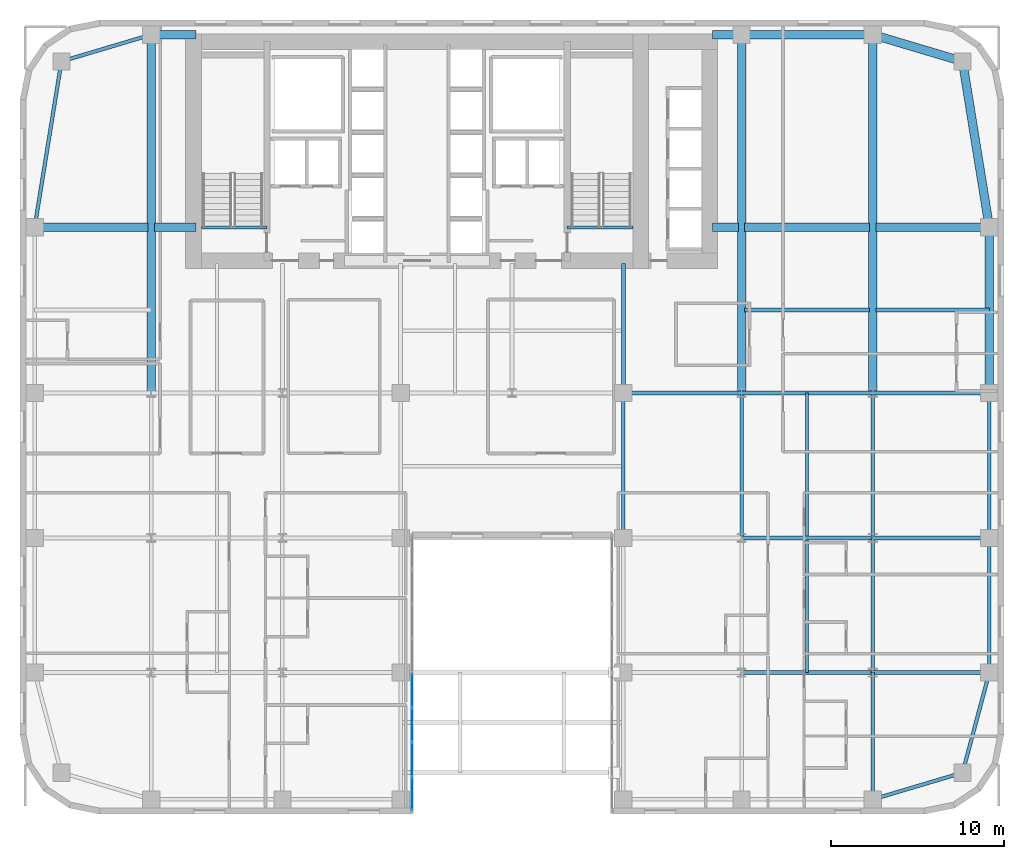
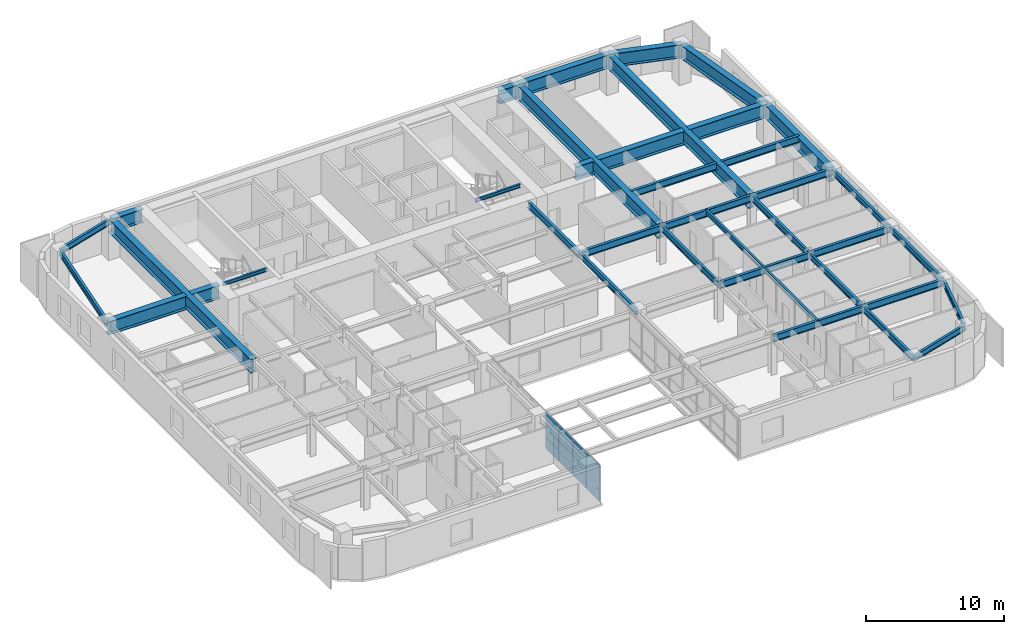
# One storey, part 8 of 16: 39 beams, 8 plates, 1 element without a shape of its own.
"""IFC4 building model written with IfcOpenShell, lengths in metres."""

from ifc_helpers import new_model, si_unit, direction, frame, origin, origin_2d, place, context, subcontext, project, spatial, rectangle, i_section, extrude, source, transform, mapped, material, layer, layer_set, material_profile, profile_set, type_object, type_shapes, element, aggregate, save


model = new_model("IFC4")

# Units and contexts
model_context = context("Model", 3, precision=1e-05, world=origin(), true_north=direction((0.0, 1.0)))
body_context = subcontext(model_context, "Body", "Model", "MODEL_VIEW")
ifc_project = project(units=[si_unit("LENGTHUNIT", "METRE"), si_unit("AREAUNIT", "SQUARE_METRE"), si_unit("VOLUMEUNIT", "CUBIC_METRE"), si_unit("PLANEANGLEUNIT", "RADIAN"), si_unit("MASSUNIT", "GRAM", prefix="KILO")], contexts=[model_context])

# Site, building, storey
site_placement = place(None, origin())
site = spatial("IfcSite", under=ifc_project, at=site_placement, CompositionType="ELEMENT")
building_placement = place(site_placement, origin())
building = spatial("IfcBuilding", under=site, at=building_placement, Name="Tolvann Quenvar Hotel", CompositionType="ELEMENT")
storey_placement = place(building_placement, frame((0.0, 0.0, 71.050048828125)))
storey = spatial("IfcBuildingStorey", under=building, at=storey_placement, Name="L17", CompositionType="ELEMENT", Elevation=71.050048828125)

# Beams
ifc_material_1 = material(Name="Steel Grade 350", Category="steel")
ifc_material_profile_1 = material_profile(ifc_material_1, i_section(OverallWidth=0.5, OverallDepth=1.199951171875, WebThickness=0.01611328125, FlangeThickness=0.0400390625, at=origin_2d()), Name="1200WB455")
ifc_profile_set_1 = profile_set([ifc_material_profile_1], Name="Steel Grade 350")
beam_type_1 = type_object("IfcBeamType", Name="BM_TG_1200WB455", PredefinedType="USERDEFINED", material=ifc_profile_set_1)
shared_shape_1 = source(origin(), body_context, "Body", "SweptSolid", [
    extrude(i_section(OverallWidth=0.5, OverallDepth=1.199951171875, WebThickness=0.01611328125, FlangeThickness=0.0400390625, at=origin_2d()), origin(), (0.0, 0.0, 1.0), 7.599853515625),
])
beam_1_placement = place(storey_placement, frame((49.39990234375, 45.14990234375, 2.77001953125), z_axis=(-1.0, 0.0, 0.0), x_axis=(0.0, -1.0, 0.0)))
element("IfcBeam", 1, at=beam_1_placement, inside=storey, type_object=beam_type_1, Name="BM-L17-FLK-E4", ObjectType="TRANSFER GIRDER", PredefinedType="USERDEFINED", context=body_context, shape_type="MappedRepresentation", body=[
    mapped(shared_shape_1, transform((0.0, 0.0, 0.0), x_axis=(1.0, 0.0, 0.0), y_axis=(0.0, 1.0, 0.0), z_axis=(0.0, 0.0, 1.0), scale=1.0)),
])
shared_shape_2 = source(origin(), body_context, "Body", "SweptSolid", [
    extrude(i_section(OverallWidth=0.5, OverallDepth=1.199951171875, WebThickness=0.01611328125, FlangeThickness=0.0400390625, at=origin_2d()), origin(), (0.0, 0.0, 1.0), 9.60009765625),
])
beam_2_placement = place(storey_placement, frame((56.14990234375, 24.39990234375, 2.77001953125), z_axis=(0.0, 1.0, 0.0), x_axis=(-1.0, 0.0, 0.0)))
element("IfcBeam", 2, at=beam_2_placement, inside=storey, type_object=beam_type_1, Name="BM-L17-FLK-E1", ObjectType="TRANSFER GIRDER", PredefinedType="USERDEFINED", context=body_context, shape_type="MappedRepresentation", body=[
    mapped(shared_shape_2, transform((0.0, 0.0, 0.0), x_axis=(1.0, 0.0, 0.0), y_axis=(0.0, 1.0, 0.0), z_axis=(0.0, 0.0, 1.0), scale=1.0)),
])
ifc_material_profile_2 = material_profile(ifc_material_1, i_section(OverallWidth=0.208984375, OverallDepth=0.528076171875, WebThickness=0.009521484375, FlangeThickness=0.01318359375, FilletRadius=0.013916015625, at=origin_2d()), Name="530UB82")
ifc_profile_set_2 = profile_set([ifc_material_profile_2], Name="Steel Grade 350")
beam_type_2 = type_object("IfcBeamType", Name="BM_SPAND_530UB82", PredefinedType="SPANDREL", material=ifc_profile_set_2)
shared_shape_3 = source(origin(), body_context, "Body", "SweptSolid", [
    extrude(i_section(OverallWidth=0.208984375, OverallDepth=0.528076171875, WebThickness=0.009521484375, FlangeThickness=0.01318359375, FilletRadius=0.013916015625, at=origin_2d()), origin(), (0.0, 0.0, 1.0), 5.42626953125),
])
for number, where, z_axis, x_axis, name in (
    (3, (49.39990234375, 0.85009765625, 3.10595703125), (0.958344815522, 0.285613750654, 0.0), (-0.285613750654, 0.958344815522, 0.0), "BM-L17-EW-2-I2-J2"),
    (4, (2.39990234375, 43.60009765625, 3.10595703125), (0.958344815522, 0.285613750654, 0.0), (-0.285613750654, 0.958344815522, 0.0), "BM-L17-FLK-W3"),
):
    element("IfcBeam", number, at=place(storey_placement, frame(where, z_axis=z_axis, x_axis=x_axis)), inside=storey, type_object=beam_type_2, Name=name, PredefinedType="SPANDREL", context=body_context, shape_type="MappedRepresentation", body=[
        mapped(shared_shape_3, transform((0.0, 0.0, 0.0), x_axis=(1.0, 0.0, 0.0), y_axis=(0.0, 1.0, 0.0), z_axis=(0.0, 0.0, 1.0), scale=1.0)),
    ])
ifc_material_profile_3 = material_profile(ifc_material_1, i_section(OverallWidth=0.22900390625, OverallDepth=0.612060546875, WebThickness=0.011962890625, FlangeThickness=0.01953125, FilletRadius=0.013916015625, at=origin_2d()), Name="610UB125")
ifc_profile_set_3 = profile_set([ifc_material_profile_3], Name="Steel Grade 350")
beam_type_3 = type_object("IfcBeamType", Name="BM_GIRD_610UB125", PredefinedType="BEAM", material=ifc_profile_set_3)
shared_shape_4 = source(origin(), body_context, "Body", "SweptSolid", [
    extrude(i_section(OverallWidth=0.22900390625, OverallDepth=0.612060546875, WebThickness=0.011962890625, FlangeThickness=0.01953125, FilletRadius=0.013916015625, at=origin_2d()), origin(), (0.0, 0.0, 1.0), 6.75),
])
for number, where, z_axis, x_axis, name in (
    (5, (49.39990234375, 8.199951171875, 3.06396484375), (1.0, 0.0, 0.0), (0.0, 1.0, 0.0), "BM-L17-EW-3-I3-J3"),
    (6, (49.39990234375, 16.0, 3.06396484375), (1.0, 0.0, 0.0), (0.0, 1.0, 0.0), "BM-L17-EW-4-I4-J4"),
    (7, (49.39990234375, 24.39990234375, 3.06396484375), (1.0, 0.0, 0.0), (0.0, 1.0, 0.0), "BM-L17-EW-5-I5-J5"),
):
    element("IfcBeam", number, at=place(storey_placement, frame(where, z_axis=z_axis, x_axis=x_axis)), inside=storey, type_object=beam_type_3, Name=name, PredefinedType="BEAM", context=body_context, shape_type="MappedRepresentation", body=[
        mapped(shared_shape_4, transform((0.0, 0.0, 0.0), x_axis=(1.0, 0.0, 0.0), y_axis=(0.0, 1.0, 0.0), z_axis=(0.0, 0.0, 1.0), scale=1.0)),
    ])
shared_shape_5 = source(origin(), body_context, "Body", "SweptSolid", [
    extrude(i_section(OverallWidth=0.22900390625, OverallDepth=0.612060546875, WebThickness=0.011962890625, FlangeThickness=0.01953125, FilletRadius=0.013916015625, at=origin_2d()), origin(), (0.0, 0.0, 1.0), 7.599853515625),
])
for number, where, z_axis, x_axis, name in (
    (8, (41.800048828125, 8.199951171875, 3.06396484375), (1.0, 0.0, 0.0), (0.0, 1.0, 0.0), "BM-L17-EW-3-H3-I3"),
    (9, (41.800048828125, 16.0, 3.06396484375), (1.0, 0.0, 0.0), (0.0, 1.0, 0.0), "BM-L17-EW-4-H4-I4"),
    (10, (41.800048828125, 24.39990234375, 3.06396484375), (1.0, 0.0, 0.0), (0.0, 1.0, 0.0), "BM-L17-EW-5-H5-I5"),
):
    element("IfcBeam", number, at=place(storey_placement, frame(where, z_axis=z_axis, x_axis=x_axis)), inside=storey, type_object=beam_type_3, Name=name, PredefinedType="BEAM", context=body_context, shape_type="MappedRepresentation", body=[
        mapped(shared_shape_5, transform((0.0, 0.0, 0.0), x_axis=(1.0, 0.0, 0.0), y_axis=(0.0, 1.0, 0.0), z_axis=(0.0, 0.0, 1.0), scale=1.0)),
    ])
shared_shape_6 = source(origin(), body_context, "Body", "SweptSolid", [
    extrude(i_section(OverallWidth=0.22900390625, OverallDepth=0.612060546875, WebThickness=0.011962890625, FlangeThickness=0.01953125, FilletRadius=0.013916015625, at=origin_2d()), origin(), (0.0, 0.0, 1.0), 6.85009765625),
])
beam_3_placement = place(storey_placement, frame((34.949951171875, 24.39990234375, 3.06396484375), z_axis=(1.0, 0.0, 0.0), x_axis=(0.0, 1.0, 0.0)))
element("IfcBeam", 11, at=beam_3_placement, inside=storey, type_object=beam_type_3, Name="BM-L17-EW-5-F5-H5", PredefinedType="BEAM", context=body_context, shape_type="MappedRepresentation", body=[
    mapped(shared_shape_6, transform((0.0, 0.0, 0.0), x_axis=(1.0, 0.0, 0.0), y_axis=(0.0, 1.0, 0.0), z_axis=(0.0, 0.0, 1.0), scale=1.0)),
])
shared_shape_7 = source(origin(), body_context, "Body", "SweptSolid", [
    extrude(i_section(OverallWidth=0.208984375, OverallDepth=0.528076171875, WebThickness=0.009521484375, FlangeThickness=0.01318359375, FilletRadius=0.013916015625, at=origin_2d()), origin(), (0.0, 0.0, 1.0), 6.00341796875),
])
beam_4_placement = place(storey_placement, frame((54.60009765625, 2.39990234375, 3.10595703125), z_axis=(0.258148586649, 0.966105225745, 0.0), x_axis=(-0.966105225745, 0.258148586649, 0.0)))
element("IfcBeam", 12, at=beam_4_placement, inside=storey, type_object=beam_type_2, Name="BM-L17-NS-J2-J3", PredefinedType="SPANDREL", context=body_context, shape_type="MappedRepresentation", body=[
    mapped(shared_shape_7, transform((0.0, 0.0, 0.0), x_axis=(1.0, 0.0, 0.0), y_axis=(0.0, 1.0, 0.0), z_axis=(0.0, 0.0, 1.0), scale=1.0)),
])
shared_shape_8 = source(origin(), body_context, "Body", "SweptSolid", [
    extrude(i_section(OverallWidth=0.208984375, OverallDepth=0.528076171875, WebThickness=0.009521484375, FlangeThickness=0.01318359375, FilletRadius=0.013916015625, at=origin_2d()), origin(), (0.0, 0.0, 1.0), 7.800048828125),
])
beam_5_placement = place(storey_placement, frame((56.14990234375, 8.199951171875, 3.10595703125), z_axis=(0.0, 1.0, 0.0), x_axis=(-1.0, 0.0, 0.0)))
element("IfcBeam", 13, at=beam_5_placement, inside=storey, type_object=beam_type_2, Name="BM-L17-NS-J3-J4", PredefinedType="SPANDREL", context=body_context, shape_type="MappedRepresentation", body=[
    mapped(shared_shape_8, transform((0.0, 0.0, 0.0), x_axis=(1.0, 0.0, 0.0), y_axis=(0.0, 1.0, 0.0), z_axis=(0.0, 0.0, 1.0), scale=1.0)),
])
shared_shape_9 = source(origin(), body_context, "Body", "SweptSolid", [
    extrude(i_section(OverallWidth=0.208984375, OverallDepth=0.528076171875, WebThickness=0.009521484375, FlangeThickness=0.01318359375, FilletRadius=0.013916015625, at=origin_2d()), origin(), (0.0, 0.0, 1.0), 8.39990234375),
])
beam_6_placement = place(storey_placement, frame((56.14990234375, 16.0, 3.10595703125), z_axis=(0.0, 1.0, 0.0), x_axis=(-1.0, 0.0, 0.0)))
element("IfcBeam", 14, at=beam_6_placement, inside=storey, type_object=beam_type_2, Name="BM-L17-NS-J4-J5", PredefinedType="SPANDREL", context=body_context, shape_type="MappedRepresentation", body=[
    mapped(shared_shape_9, transform((0.0, 0.0, 0.0), x_axis=(1.0, 0.0, 0.0), y_axis=(0.0, 1.0, 0.0), z_axis=(0.0, 0.0, 1.0), scale=1.0)),
])
ifc_material_profile_4 = material_profile(ifc_material_1, i_section(OverallWidth=0.208984375, OverallDepth=0.532958984375, WebThickness=0.01025390625, FlangeThickness=0.015625, FilletRadius=0.013916015625, at=origin_2d()), Name="530UB92")
ifc_profile_set_4 = profile_set([ifc_material_profile_4], Name="Steel Grade 350")
beam_type_4 = type_object("IfcBeamType", Name="BM_GIRD_530UB92", PredefinedType="BEAM", material=ifc_profile_set_4)
shared_shape_10 = source(origin(), body_context, "Body", "SweptSolid", [
    extrude(i_section(OverallWidth=0.208984375, OverallDepth=0.532958984375, WebThickness=0.01025390625, FlangeThickness=0.015625, FilletRadius=0.013916015625, at=origin_2d()), origin(), (0.0, 0.0, 1.0), 7.349853515625),
])
beam_7_placement = place(storey_placement, frame((49.39990234375, 0.85009765625, 3.103515625), z_axis=(0.0, 1.0, 0.0), x_axis=(-1.0, 0.0, 0.0)))
element("IfcBeam", 15, at=beam_7_placement, inside=storey, type_object=beam_type_4, Name="BM-L17-NS-I2-I3", PredefinedType="BEAM", context=body_context, shape_type="MappedRepresentation", body=[
    mapped(shared_shape_10, transform((0.0, 0.0, 0.0), x_axis=(1.0, 0.0, 0.0), y_axis=(0.0, 1.0, 0.0), z_axis=(0.0, 0.0, 1.0), scale=1.0)),
])
shared_shape_11 = source(origin(), body_context, "Body", "SweptSolid", [
    extrude(i_section(OverallWidth=0.208984375, OverallDepth=0.532958984375, WebThickness=0.01025390625, FlangeThickness=0.015625, FilletRadius=0.013916015625, at=origin_2d()), origin(), (0.0, 0.0, 1.0), 7.800048828125),
])
beam_8_placement = place(storey_placement, frame((49.39990234375, 8.199951171875, 3.103515625), z_axis=(0.0, 1.0, 0.0), x_axis=(-1.0, 0.0, 0.0)))
element("IfcBeam", 16, at=beam_8_placement, inside=storey, type_object=beam_type_4, Name="BM-L17-NS-I3-I4", PredefinedType="BEAM", context=body_context, shape_type="MappedRepresentation", body=[
    mapped(shared_shape_11, transform((0.0, 0.0, 0.0), x_axis=(1.0, 0.0, 0.0), y_axis=(0.0, 1.0, 0.0), z_axis=(0.0, 0.0, 1.0), scale=1.0)),
])
shared_shape_12 = source(origin(), body_context, "Body", "SweptSolid", [
    extrude(i_section(OverallWidth=0.208984375, OverallDepth=0.532958984375, WebThickness=0.01025390625, FlangeThickness=0.015625, FilletRadius=0.013916015625, at=origin_2d()), origin(), (0.0, 0.0, 1.0), 8.39990234375),
])
type_shapes(beam_type_4, [shared_shape_10, shared_shape_11, shared_shape_12])
for number, where, z_axis, x_axis, name in (
    (17, (34.949951171875, 16.0, 3.103515625), (0.0, 1.0, 0.0), (-1.0, 0.0, 0.0), "BM-L17-NS-F4-F5"),
    (18, (41.800048828125, 16.0, 3.103515625), (0.0, 1.0, 0.0), (-1.0, 0.0, 0.0), "BM-L17-NS-H4-H5"),
    (19, (49.39990234375, 16.0, 3.103515625), (0.0, 1.0, 0.0), (-1.0, 0.0, 0.0), "BM-L17-NS-I4-I5"),
):
    element("IfcBeam", number, at=place(storey_placement, frame(where, z_axis=z_axis, x_axis=x_axis)), inside=storey, type_object=beam_type_4, Name=name, PredefinedType="BEAM", context=body_context, shape_type="MappedRepresentation", body=[
        mapped(shared_shape_12, transform((0.0, 0.0, 0.0), x_axis=(1.0, 0.0, 0.0), y_axis=(0.0, 1.0, 0.0), z_axis=(0.0, 0.0, 1.0), scale=1.0)),
    ])
shared_shape_13 = source(origin(), body_context, "Body", "SweptSolid", [
    extrude(i_section(OverallWidth=0.22900390625, OverallDepth=0.612060546875, WebThickness=0.011962890625, FlangeThickness=0.01953125, FilletRadius=0.013916015625, at=origin_2d()), origin(), (0.0, 0.0, 1.0), 7.5),
])
beam_9_placement = place(storey_placement, frame((34.949951171875, 24.39990234375, 3.06396484375), z_axis=(0.0, 1.0, 0.0), x_axis=(-1.0, 0.0, 0.0)))
element("IfcBeam", 20, at=beam_9_placement, inside=storey, type_object=beam_type_3, Name="BM-L17-CORE-F5", PredefinedType="BEAM", context=body_context, shape_type="MappedRepresentation", body=[
    mapped(shared_shape_13, transform((0.0, 0.0, 0.0), x_axis=(1.0, 0.0, 0.0), y_axis=(0.0, 1.0, 0.0), z_axis=(0.0, 0.0, 1.0), scale=1.0)),
])
shared_shape_14 = source(origin(), body_context, "Body", "SweptSolid", [
    extrude(i_section(OverallWidth=0.208984375, OverallDepth=0.528076171875, WebThickness=0.009521484375, FlangeThickness=0.01318359375, FilletRadius=0.013916015625, at=origin_2d()), origin(), (0.0, 0.0, 1.0), 9.724365234375),
])
type_shapes(beam_type_2, [shared_shape_3, shared_shape_7, shared_shape_8, shared_shape_9, shared_shape_14])
beam_10_placement = place(storey_placement, frame((0.85009765625, 34.0, 3.10595703125), z_axis=(0.159372939192, 0.987218449105, 0.0), x_axis=(-0.987218449105, 0.159372939192, 0.0)))
element("IfcBeam", 21, at=beam_10_placement, inside=storey, type_object=beam_type_2, Name="BM-L17-FLK-W2", PredefinedType="SPANDREL", context=body_context, shape_type="MappedRepresentation", body=[
    mapped(shared_shape_14, transform((0.0, 0.0, 0.0), x_axis=(1.0, 0.0, 0.0), y_axis=(0.0, 1.0, 0.0), z_axis=(0.0, 0.0, 1.0), scale=1.0)),
])
shared_shape_15 = source(origin(), body_context, "Body", "SweptSolid", [
    extrude(i_section(OverallWidth=0.5, OverallDepth=1.199951171875, WebThickness=0.01611328125, FlangeThickness=0.0400390625, at=origin_2d()), origin(), (0.0, 0.0, 1.0), 20.75),
])
for number, where, z_axis, x_axis, name in (
    (22, (7.60009765625, 24.39990234375, 2.77001953125), (0.0, 1.0, 0.0), (-1.0, 0.0, 0.0), "BM-L17-FLK-WC"),
    (23, (41.800048828125, 24.39990234375, 2.77001953125), (0.0, 1.0, 0.0), (-1.0, 0.0, 0.0), "BM-L17-FLK-EH"),
    (24, (49.39990234375, 24.39990234375, 2.77001953125), (0.0, 1.0, 0.0), (-1.0, 0.0, 0.0), "BM-L17-FLK-EI"),
):
    element("IfcBeam", number, at=place(storey_placement, frame(where, z_axis=z_axis, x_axis=x_axis)), inside=storey, type_object=beam_type_1, Name=name, ObjectType="TRANSFER GIRDER", PredefinedType="USERDEFINED", context=body_context, shape_type="MappedRepresentation", body=[
        mapped(shared_shape_15, transform((0.0, 0.0, 0.0), x_axis=(1.0, 0.0, 0.0), y_axis=(0.0, 1.0, 0.0), z_axis=(0.0, 0.0, 1.0), scale=1.0)),
    ])
shared_shape_16 = source(origin(), body_context, "Body", "SweptSolid", [
    extrude(i_section(OverallWidth=0.5, OverallDepth=1.199951171875, WebThickness=0.01611328125, FlangeThickness=0.0400390625, at=origin_2d()), origin(), (0.0, 0.0, 1.0), 6.56982421875),
])
for number, where, z_axis, x_axis, name in (
    (25, (0.85009765625, 34.0, 2.77001953125), (1.0, 0.0, 0.0), (0.0, 1.0, 0.0), "BM-L17-CTW-MID1"),
    (26, (49.580078125, 34.0, 2.77001953125), (1.0, 0.0, 0.0), (0.0, 1.0, 0.0), "BM-L17-CTE-JD6C"),
):
    element("IfcBeam", number, at=place(storey_placement, frame(where, z_axis=z_axis, x_axis=x_axis)), inside=storey, type_object=beam_type_1, Name=name, ObjectType="TRANSFER GIRDER", PredefinedType="USERDEFINED", context=body_context, shape_type="MappedRepresentation", body=[
        mapped(shared_shape_16, transform((0.0, 0.0, 0.0), x_axis=(1.0, 0.0, 0.0), y_axis=(0.0, 1.0, 0.0), z_axis=(0.0, 0.0, 1.0), scale=1.0)),
    ])
shared_shape_17 = source(origin(), body_context, "Body", "SweptSolid", [
    extrude(i_section(OverallWidth=0.5, OverallDepth=1.199951171875, WebThickness=0.01611328125, FlangeThickness=0.0400390625, at=origin_2d()), origin(), (0.0, 0.0, 1.0), 2.419921875),
])
beam_11_placement = place(storey_placement, frame((7.780029296875, 34.0, 2.77001953125), z_axis=(1.0, 0.0, 0.0), x_axis=(0.0, 1.0, 0.0)))
element("IfcBeam", 27, at=beam_11_placement, inside=storey, type_object=beam_type_1, Name="BM-L17-CTW-MID2", ObjectType="TRANSFER GIRDER", PredefinedType="USERDEFINED", context=body_context, shape_type="MappedRepresentation", body=[
    mapped(shared_shape_17, transform((0.0, 0.0, 0.0), x_axis=(1.0, 0.0, 0.0), y_axis=(0.0, 1.0, 0.0), z_axis=(0.0, 0.0, 1.0), scale=1.0)),
])
shared_shape_18 = source(origin(), body_context, "Body", "SweptSolid", [
    extrude(i_section(OverallWidth=0.5, OverallDepth=1.199951171875, WebThickness=0.01611328125, FlangeThickness=0.0400390625, at=origin_2d()), origin(), (0.0, 0.0, 1.0), 2.599853515625),
])
beam_12_placement = place(storey_placement, frame((7.60009765625, 45.14990234375, 2.77001953125), z_axis=(1.0, 0.0, 0.0), x_axis=(0.0, 1.0, 0.0)))
element("IfcBeam", 28, at=beam_12_placement, inside=storey, type_object=beam_type_1, Name="BM-L17-CTW-CN", ObjectType="TRANSFER GIRDER", PredefinedType="USERDEFINED", context=body_context, shape_type="MappedRepresentation", body=[
    mapped(shared_shape_18, transform((0.0, 0.0, 0.0), x_axis=(1.0, 0.0, 0.0), y_axis=(0.0, 1.0, 0.0), z_axis=(0.0, 0.0, 1.0), scale=1.0)),
])
shared_shape_19 = source(origin(), body_context, "Body", "SweptSolid", [
    extrude(i_section(OverallWidth=0.5, OverallDepth=1.199951171875, WebThickness=0.01611328125, FlangeThickness=0.0400390625, at=origin_2d()), origin(), (0.0, 0.0, 1.0), 9.724365234375),
])
beam_13_placement = place(storey_placement, frame((56.14990234375, 34.0, 2.77001953125), z_axis=(-0.159372939192, 0.987218449105, 0.0), x_axis=(-0.987218449105, -0.159372939192, 0.0)))
element("IfcBeam", 29, at=beam_13_placement, inside=storey, type_object=beam_type_1, Name="BM-L17-FLK-E2", ObjectType="TRANSFER GIRDER", PredefinedType="USERDEFINED", context=body_context, shape_type="MappedRepresentation", body=[
    mapped(shared_shape_19, transform((0.0, 0.0, 0.0), x_axis=(1.0, 0.0, 0.0), y_axis=(0.0, 1.0, 0.0), z_axis=(0.0, 0.0, 1.0), scale=1.0)),
])
shared_shape_20 = source(origin(), body_context, "Body", "SweptSolid", [
    extrude(i_section(OverallWidth=0.5, OverallDepth=1.199951171875, WebThickness=0.01611328125, FlangeThickness=0.0400390625, at=origin_2d()), origin(), (0.0, 0.0, 1.0), 5.42626953125),
])
beam_14_placement = place(storey_placement, frame((54.60009765625, 43.60009765625, 2.77001953125), z_axis=(-0.958344815522, 0.285613750654, 0.0), x_axis=(-0.285613750654, -0.958344815522, 0.0)))
element("IfcBeam", 30, at=beam_14_placement, inside=storey, type_object=beam_type_1, Name="BM-L17-FLK-E3", ObjectType="TRANSFER GIRDER", PredefinedType="USERDEFINED", context=body_context, shape_type="MappedRepresentation", body=[
    mapped(shared_shape_20, transform((0.0, 0.0, 0.0), x_axis=(1.0, 0.0, 0.0), y_axis=(0.0, 1.0, 0.0), z_axis=(0.0, 0.0, 1.0), scale=1.0)),
])
shared_shape_21 = source(origin(), body_context, "Body", "SweptSolid", [
    extrude(i_section(OverallWidth=0.5, OverallDepth=1.199951171875, WebThickness=0.01611328125, FlangeThickness=0.0400390625, at=origin_2d()), origin(), (0.0, 0.0, 1.0), 1.699951171875),
])
beam_15_placement = place(storey_placement, frame((40.10009765625, 45.14990234375, 2.77001953125), z_axis=(1.0, 0.0, 0.0), x_axis=(0.0, 1.0, 0.0)))
element("IfcBeam", 31, at=beam_15_placement, inside=storey, type_object=beam_type_1, Name="BM-L17-CTE-HN", ObjectType="TRANSFER GIRDER", PredefinedType="USERDEFINED", context=body_context, shape_type="MappedRepresentation", body=[
    mapped(shared_shape_21, transform((0.0, 0.0, 0.0), x_axis=(1.0, 0.0, 0.0), y_axis=(0.0, 1.0, 0.0), z_axis=(0.0, 0.0, 1.0), scale=1.0)),
])
shared_shape_22 = source(origin(), body_context, "Body", "SweptSolid", [
    extrude(i_section(OverallWidth=0.5, OverallDepth=1.199951171875, WebThickness=0.01611328125, FlangeThickness=0.0400390625, at=origin_2d()), origin(), (0.0, 0.0, 1.0), 1.52001953125),
])
beam_16_placement = place(storey_placement, frame((40.10009765625, 34.0, 2.77001953125), z_axis=(1.0, 0.0, 0.0), x_axis=(0.0, 1.0, 0.0)))
element("IfcBeam", 32, at=beam_16_placement, inside=storey, type_object=beam_type_1, Name="BM-L17-CTE-JD6A", ObjectType="TRANSFER GIRDER", PredefinedType="USERDEFINED", context=body_context, shape_type="MappedRepresentation", body=[
    mapped(shared_shape_22, transform((0.0, 0.0, 0.0), x_axis=(1.0, 0.0, 0.0), y_axis=(0.0, 1.0, 0.0), z_axis=(0.0, 0.0, 1.0), scale=1.0)),
])
shared_shape_23 = source(origin(), body_context, "Body", "SweptSolid", [
    extrude(i_section(OverallWidth=0.5, OverallDepth=1.199951171875, WebThickness=0.01611328125, FlangeThickness=0.0400390625, at=origin_2d()), origin(), (0.0, 0.0, 1.0), 7.239990234375),
])
type_shapes(beam_type_1, [shared_shape_1, shared_shape_2, shared_shape_15, shared_shape_16, shared_shape_17, shared_shape_18, shared_shape_19, shared_shape_20, shared_shape_21, shared_shape_22, shared_shape_23])
beam_17_placement = place(storey_placement, frame((41.97998046875, 34.0, 2.77001953125), z_axis=(1.0, 0.0, 0.0), x_axis=(0.0, 1.0, 0.0)))
element("IfcBeam", 33, at=beam_17_placement, inside=storey, type_object=beam_type_1, Name="BM-L17-CTE-JD6B", ObjectType="TRANSFER GIRDER", PredefinedType="USERDEFINED", context=body_context, shape_type="MappedRepresentation", body=[
    mapped(shared_shape_23, transform((0.0, 0.0, 0.0), x_axis=(1.0, 0.0, 0.0), y_axis=(0.0, 1.0, 0.0), z_axis=(0.0, 0.0, 1.0), scale=1.0)),
])
shared_shape_24 = source(origin(), body_context, "Body", "SweptSolid", [
    extrude(i_section(OverallWidth=0.22900390625, OverallDepth=0.612060546875, WebThickness=0.011962890625, FlangeThickness=0.01953125, FilletRadius=0.013916015625, at=origin_2d()), origin(), (0.0, 0.0, 1.0), 7.239990234375),
])
beam_18_placement = place(storey_placement, frame((41.97998046875, 29.199951171875, 3.06396484375), z_axis=(1.0, 0.0, 0.0), x_axis=(0.0, 1.0, 0.0)))
element("IfcBeam", 34, at=beam_18_placement, inside=storey, type_object=beam_type_3, Name="BM-L17-EW-HI29", PredefinedType="BEAM", context=body_context, shape_type="MappedRepresentation", body=[
    mapped(shared_shape_24, transform((0.0, 0.0, 0.0), x_axis=(1.0, 0.0, 0.0), y_axis=(0.0, 1.0, 0.0), z_axis=(0.0, 0.0, 1.0), scale=1.0)),
])
shared_shape_25 = source(origin(), body_context, "Body", "SweptSolid", [
    extrude(i_section(OverallWidth=0.22900390625, OverallDepth=0.612060546875, WebThickness=0.011962890625, FlangeThickness=0.01953125, FilletRadius=0.013916015625, at=origin_2d()), origin(), (0.0, 0.0, 1.0), 6.56982421875),
])
type_shapes(beam_type_3, [shared_shape_4, shared_shape_5, shared_shape_6, shared_shape_13, shared_shape_24, shared_shape_25])
beam_19_placement = place(storey_placement, frame((49.580078125, 29.199951171875, 3.06396484375), z_axis=(1.0, 0.0, 0.0), x_axis=(0.0, 1.0, 0.0)))
element("IfcBeam", 35, at=beam_19_placement, inside=storey, type_object=beam_type_3, Name="BM-L17-EW-IJ29", PredefinedType="BEAM", context=body_context, shape_type="MappedRepresentation", body=[
    mapped(shared_shape_25, transform((0.0, 0.0, 0.0), x_axis=(1.0, 0.0, 0.0), y_axis=(0.0, 1.0, 0.0), z_axis=(0.0, 0.0, 1.0), scale=1.0)),
])
ifc_material_profile_5 = material_profile(ifc_material_1, i_section(OverallWidth=0.177978515625, OverallDepth=0.406005859375, WebThickness=0.0078125, FlangeThickness=0.0126953125, FilletRadius=0.011474609375, at=origin_2d()), Name="410UB60")
ifc_profile_set_5 = profile_set([ifc_material_profile_5], Name="Steel Grade 350")
beam_type_5 = type_object("IfcBeamType", Name="BM_JOIST_410UB60", PredefinedType="JOIST", material=ifc_profile_set_5)
shared_shape_26 = source(origin(), body_context, "Body", "SweptSolid", [
    extrude(i_section(OverallWidth=0.177978515625, OverallDepth=0.406005859375, WebThickness=0.0078125, FlangeThickness=0.0126953125, FilletRadius=0.011474609375, at=origin_2d()), origin(), (0.0, 0.0, 1.0), 7.691650390625),
])
beam_20_placement = place(storey_placement, frame((45.60009765625, 8.199951171875, 3.1669921875), z_axis=(0.0, 1.0, 0.0), x_axis=(-1.0, 0.0, 0.0)))
element("IfcBeam", 36, at=beam_20_placement, inside=storey, type_object=beam_type_5, Name="BJ-L17-456-82", PredefinedType="JOIST", context=body_context, shape_type="MappedRepresentation", body=[
    mapped(shared_shape_26, transform((0.0, 0.0, 0.0), x_axis=(1.0, 0.0, 0.0), y_axis=(0.0, 1.0, 0.0), z_axis=(0.0, 0.0, 1.0), scale=1.0)),
])
shared_shape_27 = source(origin(), body_context, "Body", "SweptSolid", [
    extrude(i_section(OverallWidth=0.177978515625, OverallDepth=0.406005859375, WebThickness=0.0078125, FlangeThickness=0.0126953125, FilletRadius=0.011474609375, at=origin_2d()), origin(), (0.0, 0.0, 1.0), 8.29150390625),
])
type_shapes(beam_type_5, [shared_shape_26, shared_shape_27])
beam_21_placement = place(storey_placement, frame((45.60009765625, 16.1083984375, 3.1669921875), z_axis=(0.0, 1.0, 0.0), x_axis=(-1.0, 0.0, 0.0)))
element("IfcBeam", 37, at=beam_21_placement, inside=storey, type_object=beam_type_5, Name="BJ-L17-456-160", PredefinedType="JOIST", context=body_context, shape_type="MappedRepresentation", body=[
    mapped(shared_shape_27, transform((0.0, 0.0, 0.0), x_axis=(1.0, 0.0, 0.0), y_axis=(0.0, 1.0, 0.0), z_axis=(0.0, 0.0, 1.0), scale=1.0)),
])
ifc_material_profile_6 = material_profile(ifc_material_1, i_section(OverallWidth=0.166015625, OverallDepth=0.306884765625, WebThickness=0.006591796875, FlangeThickness=0.01171875, FilletRadius=0.011474609375, at=origin_2d()), Name="310UB46")
ifc_profile_set_6 = profile_set([ifc_material_profile_6], Name="Steel Grade 350")
beam_type_6 = type_object("IfcBeamType", Name="BM_JOIST_310UB46", PredefinedType="JOIST", material=ifc_profile_set_6)
shared_shape_28 = source(origin(), body_context, "Body", "SweptSolid", [
    extrude(i_section(OverallWidth=0.166015625, OverallDepth=0.306884765625, WebThickness=0.006591796875, FlangeThickness=0.01171875, FilletRadius=0.011474609375, at=origin_2d()), origin(), (0.0, 0.0, 1.0), 3.800048828125),
])
type_shapes(beam_type_6, [shared_shape_28])
for number, where, z_axis, x_axis, name in (
    (38, (10.5, 33.97998046875, 3.216552734375), (1.0, 0.0, 0.0), (0.0, 1.0, 0.0), "BM-HDR-STC1-L18"),
    (39, (31.699951171875, 33.97998046875, 3.216552734375), (1.0, 0.0, 0.0), (0.0, 1.0, 0.0), "BM-HDR-STC2-L18"),
):
    element("IfcBeam", number, at=place(storey_placement, frame(where, z_axis=z_axis, x_axis=x_axis)), inside=storey, type_object=beam_type_6, Name=name, PredefinedType="JOIST", context=body_context, shape_type="MappedRepresentation", body=[
        mapped(shared_shape_28, transform((0.0, 0.0, 0.0), x_axis=(1.0, 0.0, 0.0), y_axis=(0.0, 1.0, 0.0), z_axis=(0.0, 0.0, 1.0), scale=1.0)),
    ])

# Curtain wall, plates
ifc_material_2 = material(Name="Thermally broken anodised architectural aluminium 6063-T6 and laminated low-E glass", Category="aluminium")
ifc_layer_1 = layer(ifc_material_2, 0.179931640625)
ifc_layer_set_1 = layer_set([ifc_layer_1], Name="Thermally broken anodised architectural aluminium 6063-T6 and laminated low-E glass")
curtain_wall_type = type_object("IfcCurtainWallType", Name="CW_SYS_SLOT_03", PredefinedType="USERDEFINED", material=ifc_layer_set_1)
curtain_wall_placement = place(storey_placement, origin())
curtain_wall = element("IfcCurtainWall", 40, at=curtain_wall_placement, inside=storey, type_object=curtain_wall_type, Name="Curtain Wall CW-SLOT-03 (CWR-L17-E05)", ObjectType="UNITISED CURTAIN WALL", PredefinedType="USERDEFINED")
ifc_material_3 = material(Name="Low-iron laminated double glazing with solar-control coating", Category="glass")
ifc_layer_2 = layer(ifc_material_3, 0.028076171875)
ifc_layer_set_2 = layer_set([ifc_layer_2], Name="Low-iron laminated double glazing with solar-control coating")
plate_type = type_object("IfcPlateType", Name="CW_PAN_VISION_28", PredefinedType="CURTAIN_PANEL", material=ifc_layer_set_2)
shared_shape_29 = source(origin(), body_context, "Body", "SweptSolid", [
    extrude(rectangle(XDim=1.89501953125, YDim=0.028076171875, at=origin_2d()), origin(), (0.0, 0.0, 1.0), 0.9599609375),
])
plate_1_placement = place(storey_placement, frame((22.7099609375, 1.1923828125, 0.06005859375), z_axis=(0.0, 0.0, 1.0), x_axis=(0.0, 1.0, 0.0)))
plate_1 = element("IfcPlate", 41, at=plate_1_placement, type_object=plate_type, Name="CW-SLOT-03 panel 1.1", PredefinedType="CURTAIN_PANEL", context=body_context, shape_type="MappedRepresentation", body=[
    mapped(shared_shape_29, transform((0.0, 0.0, 0.0), x_axis=(1.0, 0.0, 0.0), y_axis=(0.0, 1.0, 0.0), z_axis=(0.0, 0.0, 1.0), scale=1.0)),
])
shared_shape_30 = source(origin(), body_context, "Body", "SweptSolid", [
    extrude(rectangle(XDim=1.89501953125, YDim=0.028076171875, at=origin_2d()), origin(), (0.0, 0.0, 1.0), 2.22998046875),
])
plate_2_placement = place(storey_placement, frame((22.7099609375, 1.1923828125, 1.080078125), z_axis=(0.0, 0.0, 1.0), x_axis=(0.0, 1.0, 0.0)))
plate_2 = element("IfcPlate", 42, at=plate_2_placement, type_object=plate_type, Name="CW-SLOT-03 panel 1.2", PredefinedType="CURTAIN_PANEL", context=body_context, shape_type="MappedRepresentation", body=[
    mapped(shared_shape_30, transform((0.0, 0.0, 0.0), x_axis=(1.0, 0.0, 0.0), y_axis=(0.0, 1.0, 0.0), z_axis=(0.0, 0.0, 1.0), scale=1.0)),
])
shared_shape_31 = source(origin(), body_context, "Body", "SweptSolid", [
    extrude(rectangle(XDim=1.929931640625, YDim=0.028076171875, at=origin_2d()), origin(), (0.0, 0.0, 1.0), 0.9599609375),
])
plate_3_placement = place(storey_placement, frame((22.7099609375, 3.175048828125, 0.06005859375), z_axis=(0.0, 0.0, 1.0), x_axis=(0.0, 1.0, 0.0)))
plate_3 = element("IfcPlate", 43, at=plate_3_placement, type_object=plate_type, Name="CW-SLOT-03 panel 2.1", PredefinedType="CURTAIN_PANEL", context=body_context, shape_type="MappedRepresentation", body=[
    mapped(shared_shape_31, transform((0.0, 0.0, 0.0), x_axis=(1.0, 0.0, 0.0), y_axis=(0.0, 1.0, 0.0), z_axis=(0.0, 0.0, 1.0), scale=1.0)),
])
plate_4_placement = place(storey_placement, frame((22.7099609375, 5.175048828125, 0.06005859375), z_axis=(0.0, 0.0, 1.0), x_axis=(0.0, 1.0, 0.0)))
plate_4 = element("IfcPlate", 44, at=plate_4_placement, type_object=plate_type, Name="CW-SLOT-03 panel 3.1", PredefinedType="CURTAIN_PANEL", context=body_context, shape_type="MappedRepresentation", body=[
    mapped(shared_shape_31, transform((0.0, 0.0, 0.0), x_axis=(1.0, 0.0, 0.0), y_axis=(0.0, 1.0, 0.0), z_axis=(0.0, 0.0, 1.0), scale=1.0)),
])
plate_5_placement = place(storey_placement, frame((22.7099609375, 7.175048828125, 0.06005859375), z_axis=(0.0, 0.0, 1.0), x_axis=(0.0, 1.0, 0.0)))
plate_5 = element("IfcPlate", 45, at=plate_5_placement, type_object=plate_type, Name="CW-SLOT-03 panel 4.1", PredefinedType="CURTAIN_PANEL", context=body_context, shape_type="MappedRepresentation", body=[
    mapped(shared_shape_31, transform((0.0, 0.0, 0.0), x_axis=(1.0, 0.0, 0.0), y_axis=(0.0, 1.0, 0.0), z_axis=(0.0, 0.0, 1.0), scale=1.0)),
])
shared_shape_32 = source(origin(), body_context, "Body", "SweptSolid", [
    extrude(rectangle(XDim=1.929931640625, YDim=0.028076171875, at=origin_2d()), origin(), (0.0, 0.0, 1.0), 2.22998046875),
])
type_shapes(plate_type, [shared_shape_29, shared_shape_30, shared_shape_31, shared_shape_32])
plate_6_placement = place(storey_placement, frame((22.7099609375, 3.175048828125, 1.080078125), z_axis=(0.0, 0.0, 1.0), x_axis=(0.0, 1.0, 0.0)))
plate_6 = element("IfcPlate", 46, at=plate_6_placement, type_object=plate_type, Name="CW-SLOT-03 panel 2.2", PredefinedType="CURTAIN_PANEL", context=body_context, shape_type="MappedRepresentation", body=[
    mapped(shared_shape_32, transform((0.0, 0.0, 0.0), x_axis=(1.0, 0.0, 0.0), y_axis=(0.0, 1.0, 0.0), z_axis=(0.0, 0.0, 1.0), scale=1.0)),
])
plate_7_placement = place(storey_placement, frame((22.7099609375, 5.175048828125, 1.080078125), z_axis=(0.0, 0.0, 1.0), x_axis=(0.0, 1.0, 0.0)))
plate_7 = element("IfcPlate", 47, at=plate_7_placement, type_object=plate_type, Name="CW-SLOT-03 panel 3.2", PredefinedType="CURTAIN_PANEL", context=body_context, shape_type="MappedRepresentation", body=[
    mapped(shared_shape_32, transform((0.0, 0.0, 0.0), x_axis=(1.0, 0.0, 0.0), y_axis=(0.0, 1.0, 0.0), z_axis=(0.0, 0.0, 1.0), scale=1.0)),
])
plate_8_placement = place(storey_placement, frame((22.7099609375, 7.175048828125, 1.080078125), z_axis=(0.0, 0.0, 1.0), x_axis=(0.0, 1.0, 0.0)))
plate_8 = element("IfcPlate", 48, at=plate_8_placement, type_object=plate_type, Name="CW-SLOT-03 panel 4.2", PredefinedType="CURTAIN_PANEL", context=body_context, shape_type="MappedRepresentation", body=[
    mapped(shared_shape_32, transform((0.0, 0.0, 0.0), x_axis=(1.0, 0.0, 0.0), y_axis=(0.0, 1.0, 0.0), z_axis=(0.0, 0.0, 1.0), scale=1.0)),
])
aggregate(curtain_wall, [plate_1, plate_2, plate_3, plate_6, plate_4, plate_7, plate_5, plate_8])

save(model, "model.ifc")
